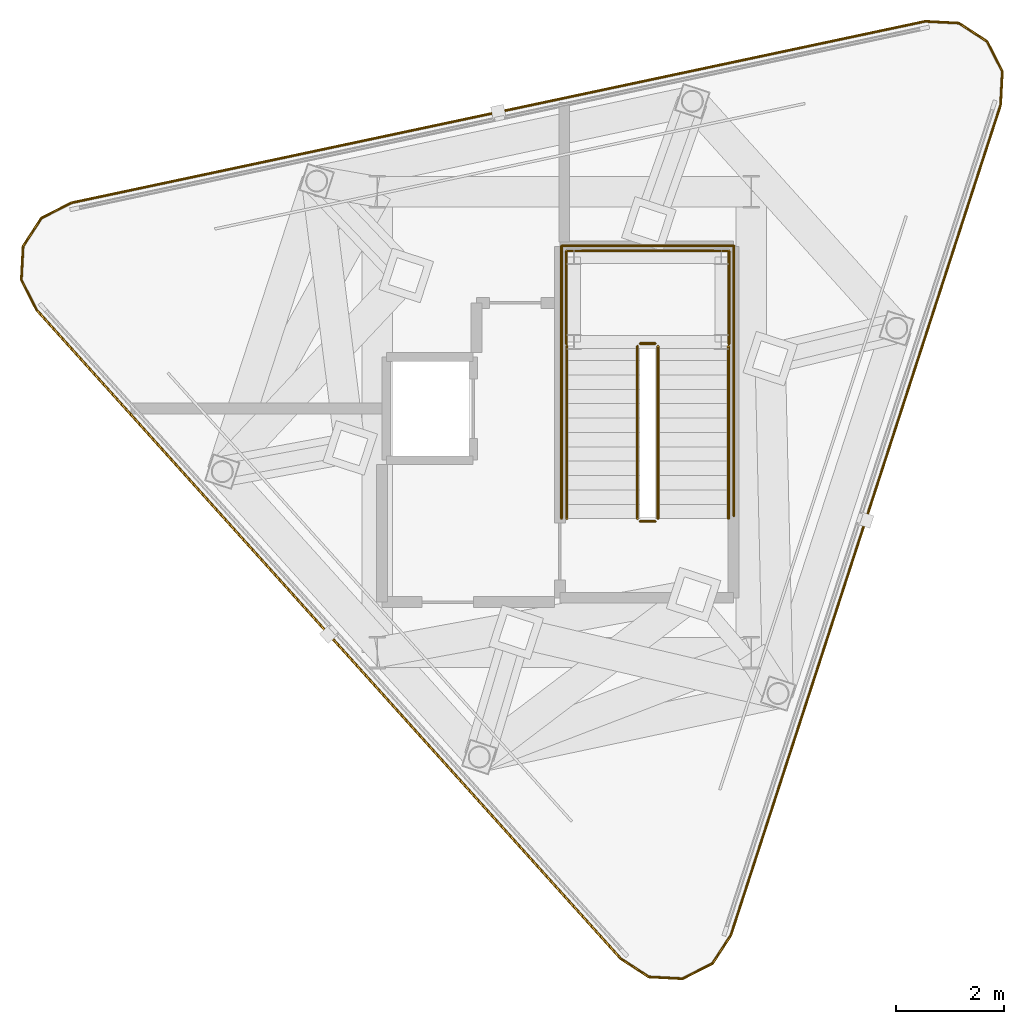
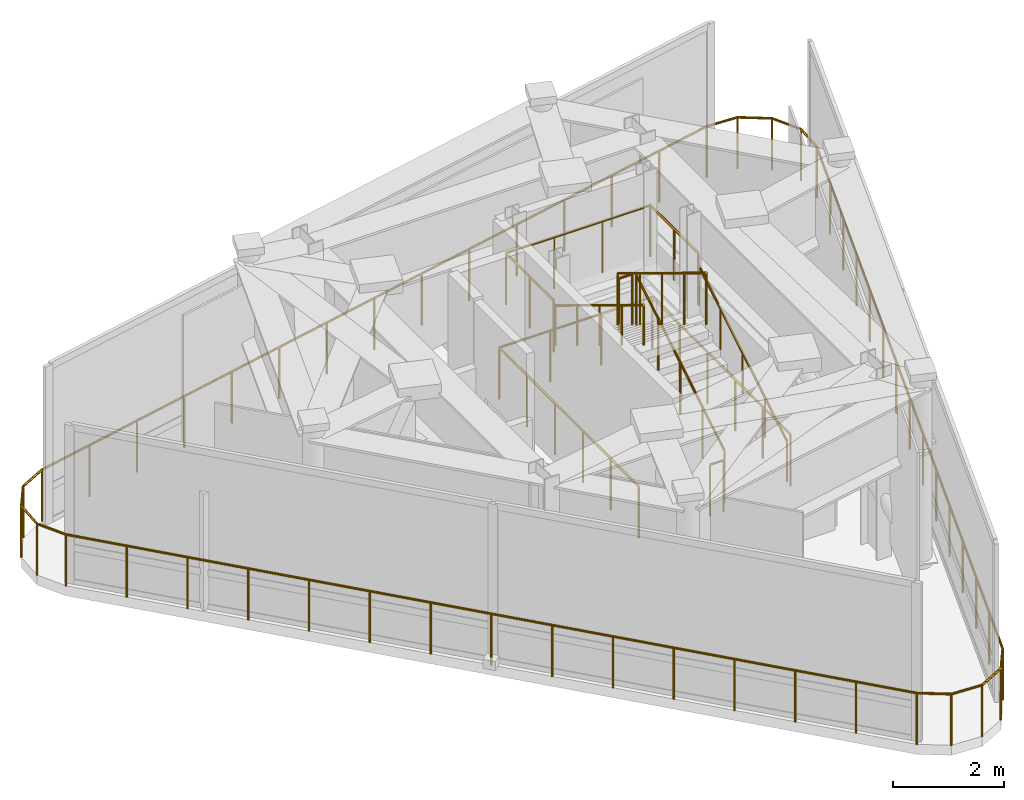
# One storey, part 4 of 4: 27 railings.
"""IFC4 building model written with IfcOpenShell, lengths in metres."""

from ifc_helpers import new_model, si_unit, direction, frame, origin, origin_2d, place, context, subcontext, project, spatial, circle, extrude, material, layer, layer_set, type_object, element, save


model = new_model("IFC4")

# Units and contexts
model_context = context("Model", 3, precision=1e-05, world=origin(), true_north=direction((0.0, 1.0)))
body_context = subcontext(model_context, "Body", "Model", "MODEL_VIEW")
ifc_project = project(units=[si_unit("LENGTHUNIT", "METRE"), si_unit("AREAUNIT", "SQUARE_METRE"), si_unit("VOLUMEUNIT", "CUBIC_METRE"), si_unit("PLANEANGLEUNIT", "RADIAN"), si_unit("MASSUNIT", "GRAM", prefix="KILO")], contexts=[model_context])

# Site, building, storey
site_placement = place(None, origin())
site = spatial("IfcSite", under=ifc_project, at=site_placement, CompositionType="ELEMENT")
building_placement = place(site_placement, origin())
building = spatial("IfcBuilding", under=site, at=building_placement, Name="Terralouvre Media Tower", CompositionType="ELEMENT")
storey_placement = place(building_placement, frame((0.0, 0.0, 335.0)))
storey = spatial("IfcBuildingStorey", under=building, at=storey_placement, Name="L86", CompositionType="ELEMENT", Elevation=335.0)

# Railings
ifc_material_1 = material(Name="Stainless steel 316 handrail and balustrade", Category="steel")
ifc_layer_1 = layer(ifc_material_1, 0.06005859375, Name="Roof Edge Safety Guardrail GR-ROOF1")
ifc_layer_set_1 = layer_set([ifc_layer_1], Name="Stainless steel 316 handrail and balustrade")
railing_type_1 = type_object("IfcRailingType", Name="Roof Edge Safety Guardrail GR-ROOF1", PredefinedType="GUARDRAIL", material=ifc_layer_set_1)
railing_1_placement = place(storey_placement, frame((1.040771484375, -9.895263671875, 0.0)))
element("IfcRailing", 1, at=railing_1_placement, inside=storey, type_object=railing_type_1, Name="L86 Crown Catwalk Safety Guardrail Edge 01", PredefinedType="GUARDRAIL", context=body_context, shape_type="SweptSolid", body=[
    extrude(circle(Radius=0.02392578125, at=origin_2d()), frame((0.0, 0.0, 1.1259765625), z_axis=(0.838820601046, -0.544407934606, 0.0), x_axis=(0.544407934606, 0.838820601046, 0.0)), (0.0, 0.0, 1.0), 0.62109375),
    extrude(circle(Radius=0.02099609375, at=origin_2d()), origin(), (0.0, 0.0, 1.0), 1.101806640625),
    extrude(circle(Radius=0.02099609375, at=origin_2d()), frame((0.52099609375, -0.338134765625, 0.0)), (0.0, 0.0, 1.0), 1.101806640625),
])
railing_2_placement = place(storey_placement, frame((1.561767578125, -10.2333984375, 0.0)))
element("IfcRailing", 2, at=railing_2_placement, inside=storey, type_object=railing_type_1, Name="L86 Crown Catwalk Safety Guardrail Edge 02", PredefinedType="GUARDRAIL", context=body_context, shape_type="SweptSolid", body=[
    extrude(circle(Radius=0.02392578125, at=origin_2d()), frame((0.0, 0.0, 1.1259765625), z_axis=(0.998632986776, -0.05227004614, 0.0), x_axis=(0.05227004614, 0.998632986776, 0.0)), (0.0, 0.0, 1.0), 0.62109375),
    extrude(circle(Radius=0.02099609375, at=origin_2d()), origin(), (0.0, 0.0, 1.0), 1.101806640625),
    extrude(circle(Radius=0.02099609375, at=origin_2d()), frame((0.620361328125, -0.032470703125, 0.0)), (0.0, 0.0, 1.0), 1.101806640625),
])
railing_3_placement = place(storey_placement, frame((2.18212890625, -10.265869140625, 0.0)))
element("IfcRailing", 3, at=railing_3_placement, inside=storey, type_object=railing_type_1, Name="L86 Crown Catwalk Safety Guardrail Edge 03", PredefinedType="GUARDRAIL", context=body_context, shape_type="SweptSolid", body=[
    extrude(circle(Radius=0.02392578125, at=origin_2d()), frame((0.0, 0.0, 1.1259765625), z_axis=(0.891021499419, 0.453961107997, 0.0), x_axis=(-0.453961107997, 0.891021499419, 0.0)), (0.0, 0.0, 1.0), 0.62109375),
    extrude(circle(Radius=0.02099609375, at=origin_2d()), origin(), (0.0, 0.0, 1.0), 1.101806640625),
    extrude(circle(Radius=0.02099609375, at=origin_2d()), frame((0.553466796875, 0.281982421875, 0.0)), (0.0, 0.0, 1.0), 1.101806640625),
])
railing_4_placement = place(storey_placement, frame((2.735595703125, -9.98388671875, 0.0)))
element("IfcRailing", 4, at=railing_4_placement, inside=storey, type_object=railing_type_1, Name="L86 Crown Catwalk Safety Guardrail Edge 04", PredefinedType="GUARDRAIL", context=body_context, shape_type="SweptSolid", body=[
    extrude(circle(Radius=0.02392578125, at=origin_2d()), frame((0.0, 0.0, 1.1259765625), z_axis=(0.544863983342, 0.838524441896, 0.0), x_axis=(-0.838524441896, 0.544863983342, 0.0)), (0.0, 0.0, 1.0), 0.62109375),
    extrude(circle(Radius=0.02099609375, at=origin_2d()), origin(), (0.0, 0.0, 1.0), 1.101806640625),
    extrude(circle(Radius=0.02099609375, at=origin_2d()), frame((0.33837890625, 0.520751953125, 0.0)), (0.0, 0.0, 1.0), 1.101806640625),
])
railing_5_placement = place(storey_placement, frame((3.073974609375, -9.463134765625, 0.0)))
element("IfcRailing", 5, at=railing_5_placement, inside=storey, type_object=railing_type_1, Name="L86 Crown Catwalk Safety Guardrail Edge 05", PredefinedType="GUARDRAIL", context=body_context, shape_type="SweptSolid", body=[
    extrude(circle(Radius=0.02392578125, at=origin_2d()), frame((0.0, 0.0, 1.1259765625), z_axis=(0.309012694292, 0.951057913466, 0.0), x_axis=(-0.951057913466, 0.309012694292, 0.0)), (0.0, 0.0, 1.0), 16.10009765625),
    extrude(circle(Radius=0.02099609375, at=origin_2d()), origin(), (0.0, 0.0, 1.0), 1.101806640625),
    extrude(circle(Radius=0.02099609375, at=origin_2d()), frame((0.35546875, 1.09375, 0.0)), (0.0, 0.0, 1.0), 1.101806640625),
    extrude(circle(Radius=0.02099609375, at=origin_2d()), frame((0.710693359375, 2.1875, 0.0)), (0.0, 0.0, 1.0), 1.101806640625),
    extrude(circle(Radius=0.02099609375, at=origin_2d()), frame((1.066162109375, 3.28125, 0.0)), (0.0, 0.0, 1.0), 1.101806640625),
    extrude(circle(Radius=0.02099609375, at=origin_2d()), frame((1.42138671875, 4.374755859375, 0.0)), (0.0, 0.0, 1.0), 1.101806640625),
    extrude(circle(Radius=0.02099609375, at=origin_2d()), frame((1.77685546875, 5.468505859375, 0.0)), (0.0, 0.0, 1.0), 1.101806640625),
    extrude(circle(Radius=0.02099609375, at=origin_2d()), frame((2.132080078125, 6.562255859375, 0.0)), (0.0, 0.0, 1.0), 1.101806640625),
    extrude(circle(Radius=0.02099609375, at=origin_2d()), frame((2.487548828125, 7.656005859375, 0.0)), (0.0, 0.0, 1.0), 1.101806640625),
    extrude(circle(Radius=0.02099609375, at=origin_2d()), frame((2.843017578125, 8.749755859375, 0.0)), (0.0, 0.0, 1.0), 1.101806640625),
    extrude(circle(Radius=0.02099609375, at=origin_2d()), frame((3.1982421875, 9.843505859375, 0.0)), (0.0, 0.0, 1.0), 1.101806640625),
    extrude(circle(Radius=0.02099609375, at=origin_2d()), frame((3.5537109375, 10.937255859375, 0.0)), (0.0, 0.0, 1.0), 1.101806640625),
    extrude(circle(Radius=0.02099609375, at=origin_2d()), frame((3.908935546875, 12.03076171875, 0.0)), (0.0, 0.0, 1.0), 1.101806640625),
    extrude(circle(Radius=0.02099609375, at=origin_2d()), frame((4.264404296875, 13.12451171875, 0.0)), (0.0, 0.0, 1.0), 1.101806640625),
    extrude(circle(Radius=0.02099609375, at=origin_2d()), frame((4.61962890625, 14.21826171875, 0.0)), (0.0, 0.0, 1.0), 1.101806640625),
    extrude(circle(Radius=0.02099609375, at=origin_2d()), frame((4.97509765625, 15.31201171875, 0.0)), (0.0, 0.0, 1.0), 1.101806640625),
])
railing_6_placement = place(storey_placement, frame((8.049072265625, 5.848876953125, 0.0)))
element("IfcRailing", 6, at=railing_6_placement, inside=storey, type_object=railing_type_1, Name="L86 Crown Catwalk Safety Guardrail Edge 06", PredefinedType="GUARDRAIL", context=body_context, shape_type="SweptSolid", body=[
    extrude(circle(Radius=0.02392578125, at=origin_2d()), frame((0.0, 0.0, 1.1259765625), z_axis=(0.05227004614, 0.998632986776, 0.0), x_axis=(-0.998632986776, 0.05227004614, 0.0)), (0.0, 0.0, 1.0), 0.62109375),
    extrude(circle(Radius=0.02099609375, at=origin_2d()), origin(), (0.0, 0.0, 1.0), 1.101806640625),
    extrude(circle(Radius=0.02099609375, at=origin_2d()), frame((0.032470703125, 0.620361328125, 0.0)), (0.0, 0.0, 1.0), 1.101806640625),
])
railing_7_placement = place(storey_placement, frame((8.08154296875, 6.46923828125, 0.0)))
element("IfcRailing", 7, at=railing_7_placement, inside=storey, type_object=railing_type_1, Name="L86 Crown Catwalk Safety Guardrail Edge 07", PredefinedType="GUARDRAIL", context=body_context, shape_type="SweptSolid", body=[
    extrude(circle(Radius=0.02392578125, at=origin_2d()), frame((0.0, 0.0, 1.1259765625), z_axis=(-0.453961107997, 0.891021499419, 0.0), x_axis=(-0.891021499419, -0.453961107997, 0.0)), (0.0, 0.0, 1.0), 0.62109375),
    extrude(circle(Radius=0.02099609375, at=origin_2d()), origin(), (0.0, 0.0, 1.0), 1.101806640625),
    extrude(circle(Radius=0.02099609375, at=origin_2d()), frame((-0.281982421875, 0.553466796875, 0.0)), (0.0, 0.0, 1.0), 1.101806640625),
])
railing_8_placement = place(storey_placement, frame((7.799560546875, 7.022705078125, 0.0)))
element("IfcRailing", 8, at=railing_8_placement, inside=storey, type_object=railing_type_1, Name="L86 Crown Catwalk Safety Guardrail Edge 08", PredefinedType="GUARDRAIL", context=body_context, shape_type="SweptSolid", body=[
    extrude(circle(Radius=0.02392578125, at=origin_2d()), frame((0.0, 0.0, 1.1259765625), z_axis=(-0.838641092331, 0.544684420792, 0.0), x_axis=(-0.544684420792, -0.838641092331, 0.0)), (0.0, 0.0, 1.0), 0.621337890625),
    extrude(circle(Radius=0.02099609375, at=origin_2d()), origin(), (0.0, 0.0, 1.0), 1.101806640625),
    extrude(circle(Radius=0.02099609375, at=origin_2d()), frame((-0.52099609375, 0.33837890625, 0.0)), (0.0, 0.0, 1.0), 1.101806640625),
])
railing_9_placement = place(storey_placement, frame((7.278564453125, 7.361083984375, 0.0)))
element("IfcRailing", 9, at=railing_9_placement, inside=storey, type_object=railing_type_1, Name="L86 Crown Catwalk Safety Guardrail Edge 09", PredefinedType="GUARDRAIL", context=body_context, shape_type="SweptSolid", body=[
    extrude(circle(Radius=0.02392578125, at=origin_2d()), frame((0.0, 0.0, 1.1259765625), z_axis=(-0.998632986776, 0.05227004614, 0.0), x_axis=(-0.05227004614, -0.998632986776, 0.0)), (0.0, 0.0, 1.0), 0.62109375),
    extrude(circle(Radius=0.02099609375, at=origin_2d()), origin(), (0.0, 0.0, 1.0), 1.101806640625),
    extrude(circle(Radius=0.02099609375, at=origin_2d()), frame((-0.620361328125, 0.032470703125, 0.0)), (0.0, 0.0, 1.0), 1.101806640625),
])
railing_10_placement = place(storey_placement, frame((6.658203125, 7.3935546875, 0.0)))
element("IfcRailing", 10, at=railing_10_placement, inside=storey, type_object=railing_type_1, Name="L86 Crown Catwalk Safety Guardrail Edge 10", PredefinedType="GUARDRAIL", context=body_context, shape_type="SweptSolid", body=[
    extrude(circle(Radius=0.02392578125, at=origin_2d()), frame((0.0, 0.0, 1.1259765625), z_axis=(-0.978146824983, -0.207915340403, 0.0), x_axis=(0.207915340403, -0.978146824983, 0.0)), (0.0, 0.0, 1.0), 16.099853515625),
    extrude(circle(Radius=0.02099609375, at=origin_2d()), origin(), (0.0, 0.0, 1.0), 1.101806640625),
    extrude(circle(Radius=0.02099609375, at=origin_2d()), frame((-1.124755859375, -0.239013671875, 0.0)), (0.0, 0.0, 1.0), 1.101806640625),
    extrude(circle(Radius=0.02099609375, at=origin_2d()), frame((-2.249755859375, -0.478271484375, 0.0)), (0.0, 0.0, 1.0), 1.101806640625),
    extrude(circle(Radius=0.02099609375, at=origin_2d()), frame((-3.37451171875, -0.71728515625, 0.0)), (0.0, 0.0, 1.0), 1.101806640625),
    extrude(circle(Radius=0.02099609375, at=origin_2d()), frame((-4.49951171875, -0.956298828125, 0.0)), (0.0, 0.0, 1.0), 1.101806640625),
    extrude(circle(Radius=0.02099609375, at=origin_2d()), frame((-5.624267578125, -1.195556640625, 0.0)), (0.0, 0.0, 1.0), 1.101806640625),
    extrude(circle(Radius=0.02099609375, at=origin_2d()), frame((-6.749267578125, -1.4345703125, 0.0)), (0.0, 0.0, 1.0), 1.101806640625),
    extrude(circle(Radius=0.02099609375, at=origin_2d()), frame((-7.8740234375, -1.673828125, 0.0)), (0.0, 0.0, 1.0), 1.101806640625),
    extrude(circle(Radius=0.02099609375, at=origin_2d()), frame((-8.998779296875, -1.912841796875, 0.0)), (0.0, 0.0, 1.0), 1.101806640625),
    extrude(circle(Radius=0.02099609375, at=origin_2d()), frame((-10.123779296875, -2.15185546875, 0.0)), (0.0, 0.0, 1.0), 1.101806640625),
    extrude(circle(Radius=0.02099609375, at=origin_2d()), frame((-11.24853515625, -2.39111328125, 0.0)), (0.0, 0.0, 1.0), 1.101806640625),
    extrude(circle(Radius=0.02099609375, at=origin_2d()), frame((-12.37353515625, -2.630126953125, 0.0)), (0.0, 0.0, 1.0), 1.101806640625),
    extrude(circle(Radius=0.02099609375, at=origin_2d()), frame((-13.498291015625, -2.869140625, 0.0)), (0.0, 0.0, 1.0), 1.101806640625),
    extrude(circle(Radius=0.02099609375, at=origin_2d()), frame((-14.623291015625, -3.1083984375, 0.0)), (0.0, 0.0, 1.0), 1.101806640625),
    extrude(circle(Radius=0.02099609375, at=origin_2d()), frame((-15.748046875, -3.347412109375, 0.0)), (0.0, 0.0, 1.0), 1.101806640625),
])
railing_11_placement = place(storey_placement, frame((-9.08984375, 4.046142578125, 0.0)))
element("IfcRailing", 11, at=railing_11_placement, inside=storey, type_object=railing_type_1, Name="L86 Crown Catwalk Safety Guardrail Edge 11", PredefinedType="GUARDRAIL", context=body_context, shape_type="SweptSolid", body=[
    extrude(circle(Radius=0.02392578125, at=origin_2d()), frame((0.0, 0.0, 1.1259765625), z_axis=(-0.891021499419, -0.453961107997, 0.0), x_axis=(0.453961107997, -0.891021499419, 0.0)), (0.0, 0.0, 1.0), 0.62109375),
    extrude(circle(Radius=0.02099609375, at=origin_2d()), origin(), (0.0, 0.0, 1.0), 1.101806640625),
    extrude(circle(Radius=0.02099609375, at=origin_2d()), frame((-0.553466796875, -0.281982421875, 0.0)), (0.0, 0.0, 1.0), 1.101806640625),
])
railing_12_placement = place(storey_placement, frame((-9.643310546875, 3.76416015625, 0.0)))
element("IfcRailing", 12, at=railing_12_placement, inside=storey, type_object=railing_type_1, Name="L86 Crown Catwalk Safety Guardrail Edge 12", PredefinedType="GUARDRAIL", context=body_context, shape_type="SweptSolid", body=[
    extrude(circle(Radius=0.02392578125, at=origin_2d()), frame((0.0, 0.0, 1.1259765625), z_axis=(-0.544684420792, -0.838641092331, 0.0), x_axis=(0.838641092331, -0.544684420792, 0.0)), (0.0, 0.0, 1.0), 0.621337890625),
    extrude(circle(Radius=0.02099609375, at=origin_2d()), origin(), (0.0, 0.0, 1.0), 1.101806640625),
    extrude(circle(Radius=0.02099609375, at=origin_2d()), frame((-0.33837890625, -0.52099609375, 0.0)), (0.0, 0.0, 1.0), 1.101806640625),
])
railing_13_placement = place(storey_placement, frame((-9.981689453125, 3.2431640625, 0.0)))
element("IfcRailing", 13, at=railing_13_placement, inside=storey, type_object=railing_type_1, Name="L86 Crown Catwalk Safety Guardrail Edge 13", PredefinedType="GUARDRAIL", context=body_context, shape_type="SweptSolid", body=[
    extrude(circle(Radius=0.02392578125, at=origin_2d()), frame((0.0, 0.0, 1.1259765625), z_axis=(-0.05227004614, -0.998632986776, 0.0), x_axis=(0.998632986776, -0.05227004614, 0.0)), (0.0, 0.0, 1.0), 0.62109375),
    extrude(circle(Radius=0.02099609375, at=origin_2d()), origin(), (0.0, 0.0, 1.0), 1.101806640625),
    extrude(circle(Radius=0.02099609375, at=origin_2d()), frame((-0.032470703125, -0.620361328125, 0.0)), (0.0, 0.0, 1.0), 1.101806640625),
])
railing_14_placement = place(storey_placement, frame((-10.01416015625, 2.622802734375, 0.0)))
element("IfcRailing", 14, at=railing_14_placement, inside=storey, type_object=railing_type_1, Name="L86 Crown Catwalk Safety Guardrail Edge 14", PredefinedType="GUARDRAIL", context=body_context, shape_type="SweptSolid", body=[
    extrude(circle(Radius=0.02392578125, at=origin_2d()), frame((0.0, 0.0, 1.1259765625), z_axis=(0.454120136825, -0.890940458914, 0.0), x_axis=(0.890940458914, 0.454120136825, 0.0)), (0.0, 0.0, 1.0), 0.620849609375),
    extrude(circle(Radius=0.02099609375, at=origin_2d()), origin(), (0.0, 0.0, 1.0), 1.101806640625),
    extrude(circle(Radius=0.02099609375, at=origin_2d()), frame((0.281982421875, -0.55322265625, 0.0)), (0.0, 0.0, 1.0), 1.101806640625),
])
railing_15_placement = place(storey_placement, frame((-9.732177734375, 2.069580078125, 0.0)))
element("IfcRailing", 15, at=railing_15_placement, inside=storey, type_object=railing_type_1, Name="L86 Crown Catwalk Safety Guardrail Edge 15", PredefinedType="GUARDRAIL", context=body_context, shape_type="SweptSolid", body=[
    extrude(circle(Radius=0.02392578125, at=origin_2d()), frame((0.0, 0.0, 1.1259765625), z_axis=(0.669122220088, -0.743152376424, 0.0), x_axis=(0.743152376424, 0.669122220088, 0.0)), (0.0, 0.0, 1.0), 16.10009765625),
    extrude(circle(Radius=0.02099609375, at=origin_2d()), origin(), (0.0, 0.0, 1.0), 1.101806640625),
    extrude(circle(Radius=0.02099609375, at=origin_2d()), frame((0.76953125, -0.854736328125, 0.0)), (0.0, 0.0, 1.0), 1.101806640625),
    extrude(circle(Radius=0.02099609375, at=origin_2d()), frame((1.5390625, -1.709228515625, 0.0)), (0.0, 0.0, 1.0), 1.101806640625),
    extrude(circle(Radius=0.02099609375, at=origin_2d()), frame((2.30859375, -2.56396484375, 0.0)), (0.0, 0.0, 1.0), 1.101806640625),
    extrude(circle(Radius=0.02099609375, at=origin_2d()), frame((3.077880859375, -3.41845703125, 0.0)), (0.0, 0.0, 1.0), 1.101806640625),
    extrude(circle(Radius=0.02099609375, at=origin_2d()), frame((3.847412109375, -4.273193359375, 0.0)), (0.0, 0.0, 1.0), 1.101806640625),
    extrude(circle(Radius=0.02099609375, at=origin_2d()), frame((4.616943359375, -5.127685546875, 0.0)), (0.0, 0.0, 1.0), 1.101806640625),
    extrude(circle(Radius=0.02099609375, at=origin_2d()), frame((5.386474609375, -5.982421875, 0.0)), (0.0, 0.0, 1.0), 1.101806640625),
    extrude(circle(Radius=0.02099609375, at=origin_2d()), frame((6.156005859375, -6.837158203125, 0.0)), (0.0, 0.0, 1.0), 1.101806640625),
    extrude(circle(Radius=0.02099609375, at=origin_2d()), frame((6.925537109375, -7.691650390625, 0.0)), (0.0, 0.0, 1.0), 1.101806640625),
    extrude(circle(Radius=0.02099609375, at=origin_2d()), frame((7.695068359375, -8.54638671875, 0.0)), (0.0, 0.0, 1.0), 1.101806640625),
    extrude(circle(Radius=0.02099609375, at=origin_2d()), frame((8.46435546875, -9.40087890625, 0.0)), (0.0, 0.0, 1.0), 1.101806640625),
    extrude(circle(Radius=0.02099609375, at=origin_2d()), frame((9.23388671875, -10.255615234375, 0.0)), (0.0, 0.0, 1.0), 1.101806640625),
    extrude(circle(Radius=0.02099609375, at=origin_2d()), frame((10.00341796875, -11.110107421875, 0.0)), (0.0, 0.0, 1.0), 1.101806640625),
    extrude(circle(Radius=0.02099609375, at=origin_2d()), frame((10.77294921875, -11.96484375, 0.0)), (0.0, 0.0, 1.0), 1.101806640625),
])
ifc_material_2 = material(Name="Stainless steel 316 handrail and balustrade", Category="steel")
ifc_layer_2 = layer(ifc_material_2, 0.050048828125, Name="Stair Flight Wall Handrail HR-INT1")
ifc_layer_set_2 = layer_set([ifc_layer_2], Name="Stainless steel 316 handrail and balustrade")
railing_type_2 = type_object("IfcRailingType", Name="Stair Flight Wall Handrail HR-INT1", PredefinedType="HANDRAIL", material=ifc_layer_set_2)
railing_16_placement = place(storey_placement, frame((3.030029296875, -1.780029296875, 0.16162109375)))
element("IfcRailing", 16, at=railing_16_placement, inside=storey, type_object=railing_type_2, Name="L86 ST-05 stair handrail 1", PredefinedType="HANDRAIL", context=body_context, shape_type="SweptSolid", body=[
    extrude(circle(Radius=0.02392578125, at=origin_2d()), frame((0.0, 0.0, 0.8759765625), z_axis=(0.0, 0.853856579767, 0.520508348818), x_axis=(-1.0, 0.0, 0.0)), (0.0, 0.0, 1.0), 3.72412109375),
    extrude(circle(Radius=0.02099609375, at=origin_2d()), origin(), (0.0, 0.0, 1.0), 0.851806640625),
    extrude(circle(Radius=0.02099609375, at=origin_2d()), frame((0.0, 0.794921875, 0.484619140625)), (0.0, 0.0, 1.0), 0.851806640625),
    extrude(circle(Radius=0.02099609375, at=origin_2d()), frame((0.0, 1.58984375, 0.96923828125)), (0.0, 0.0, 1.0), 0.851806640625),
    extrude(circle(Radius=0.02099609375, at=origin_2d()), frame((0.0, 2.385009765625, 1.453857421875)), (0.0, 0.0, 1.0), 0.851806640625),
    extrude(circle(Radius=0.02099609375, at=origin_2d()), frame((0.0, 3.179931640625, 1.9384765625)), (0.0, 0.0, 1.0), 0.851806640625),
])
railing_17_placement = place(storey_placement, frame((0.050048828125, 1.39990234375, 2.261474609375)))
element("IfcRailing", 17, at=railing_17_placement, inside=storey, type_object=railing_type_2, Name="L86 ST-05 stair handrail 2", PredefinedType="HANDRAIL", context=body_context, shape_type="SweptSolid", body=[
    extrude(circle(Radius=0.02392578125, at=origin_2d()), frame((0.0, 0.0, 0.8759765625), z_axis=(0.0, -0.853856579767, 0.520508348818), x_axis=(1.0, 0.0, 0.0)), (0.0, 0.0, 1.0), 3.72412109375),
    extrude(circle(Radius=0.02099609375, at=origin_2d()), origin(), (0.0, 0.0, 1.0), 0.851806640625),
    extrude(circle(Radius=0.02099609375, at=origin_2d()), frame((0.0, -0.794921875, 0.484619140625)), (0.0, 0.0, 1.0), 0.851806640625),
    extrude(circle(Radius=0.02099609375, at=origin_2d()), frame((0.0, -1.58984375, 0.96923828125)), (0.0, 0.0, 1.0), 0.851806640625),
    extrude(circle(Radius=0.02099609375, at=origin_2d()), frame((0.0, -2.385009765625, 1.453857421875)), (0.0, 0.0, 1.0), 0.851806640625),
    extrude(circle(Radius=0.02099609375, at=origin_2d()), frame((0.0, -3.179931640625, 1.9384765625)), (0.0, 0.0, 1.0), 0.851806640625),
])
ifc_material_3 = material(Name="Stainless steel 316 handrail and balustrade", Category="steel")
ifc_layer_3 = layer(ifc_material_3, 0.050048828125, Name="Stairwell Safety Guardrail GR-INT1")
ifc_layer_set_3 = layer_set([ifc_layer_3], Name="Stainless steel 316 handrail and balustrade")
railing_type_3 = type_object("IfcRailingType", Name="Stairwell Safety Guardrail GR-INT1", PredefinedType="GUARDRAIL", material=ifc_layer_set_3)
railing_18_placement = place(storey_placement, frame((1.72998046875, -1.780029296875, 0.16162109375)))
element("IfcRailing", 18, at=railing_18_placement, inside=storey, type_object=railing_type_3, Name="L86 ST-05 stair guard 1", PredefinedType="GUARDRAIL", context=body_context, shape_type="SweptSolid", body=[
    extrude(circle(Radius=0.02392578125, at=origin_2d()), frame((0.0, 0.0, 1.1259765625), z_axis=(0.0, 0.853856579767, 0.520508348818), x_axis=(-1.0, 0.0, 0.0)), (0.0, 0.0, 1.0), 3.72412109375),
    extrude(circle(Radius=0.02099609375, at=origin_2d()), origin(), (0.0, 0.0, 1.0), 1.101806640625),
    extrude(circle(Radius=0.02099609375, at=origin_2d()), frame((0.0, 0.794921875, 0.484619140625)), (0.0, 0.0, 1.0), 1.101806640625),
    extrude(circle(Radius=0.02099609375, at=origin_2d()), frame((0.0, 1.58984375, 0.96923828125)), (0.0, 0.0, 1.0), 1.101806640625),
    extrude(circle(Radius=0.02099609375, at=origin_2d()), frame((0.0, 2.385009765625, 1.453857421875)), (0.0, 0.0, 1.0), 1.101806640625),
    extrude(circle(Radius=0.02099609375, at=origin_2d()), frame((0.0, 3.179931640625, 1.9384765625)), (0.0, 0.0, 1.0), 1.101806640625),
])
railing_19_placement = place(storey_placement, frame((1.679931640625, 1.449951171875, 2.10009765625)))
element("IfcRailing", 19, at=railing_19_placement, inside=storey, type_object=railing_type_3, Name="L86 ST-05 stair guard 2", PredefinedType="GUARDRAIL", context=body_context, shape_type="SweptSolid", body=[
    extrude(circle(Radius=0.02392578125, at=origin_2d()), frame((0.0, 0.0, 1.1259765625), z_axis=(-1.0, 0.0, 0.0), x_axis=(0.0, -1.0, 0.0)), (0.0, 0.0, 1.0), 0.280029296875),
    extrude(circle(Radius=0.02099609375, at=origin_2d()), origin(), (0.0, 0.0, 1.0), 1.101806640625),
    extrude(circle(Radius=0.02099609375, at=origin_2d()), frame((-0.280029296875, 0.0, 0.0)), (0.0, 0.0, 1.0), 1.101806640625),
])
railing_20_placement = place(storey_placement, frame((1.35009765625, 1.39990234375, 2.261474609375)))
element("IfcRailing", 20, at=railing_20_placement, inside=storey, type_object=railing_type_3, Name="L86 ST-05 stair guard 3", PredefinedType="GUARDRAIL", context=body_context, shape_type="SweptSolid", body=[
    extrude(circle(Radius=0.02392578125, at=origin_2d()), frame((0.0, 0.0, 1.1259765625), z_axis=(0.0, -0.853856579767, 0.520508348818), x_axis=(1.0, 0.0, 0.0)), (0.0, 0.0, 1.0), 3.72412109375),
    extrude(circle(Radius=0.02099609375, at=origin_2d()), origin(), (0.0, 0.0, 1.0), 1.101806640625),
    extrude(circle(Radius=0.02099609375, at=origin_2d()), frame((0.0, -0.794921875, 0.484619140625)), (0.0, 0.0, 1.0), 1.101806640625),
    extrude(circle(Radius=0.02099609375, at=origin_2d()), frame((0.0, -1.58984375, 0.96923828125)), (0.0, 0.0, 1.0), 1.101806640625),
    extrude(circle(Radius=0.02099609375, at=origin_2d()), frame((0.0, -2.385009765625, 1.453857421875)), (0.0, 0.0, 1.0), 1.101806640625),
    extrude(circle(Radius=0.02099609375, at=origin_2d()), frame((0.0, -3.179931640625, 1.9384765625)), (0.0, 0.0, 1.0), 1.101806640625),
])
railing_21_placement = place(storey_placement, frame((1.679931640625, -1.830078125, 0.0)))
element("IfcRailing", 21, at=railing_21_placement, inside=storey, type_object=railing_type_3, Name="L86 ST-05 stair guard 4", PredefinedType="GUARDRAIL", context=body_context, shape_type="SweptSolid", body=[
    extrude(circle(Radius=0.02392578125, at=origin_2d()), frame((0.0, 0.0, 1.1259765625), z_axis=(-1.0, 0.0, 0.0), x_axis=(0.0, -1.0, 0.0)), (0.0, 0.0, 1.0), 0.280029296875),
    extrude(circle(Radius=0.02099609375, at=origin_2d()), origin(), (0.0, 0.0, 1.0), 1.101806640625),
    extrude(circle(Radius=0.02099609375, at=origin_2d()), frame((-0.280029296875, 0.0, 0.0)), (0.0, 0.0, 1.0), 1.101806640625),
])
for number, where, name in (
    (22, (0.0400390625, 1.43994140625, 2.10009765625), "L86 ST-05 Half-Landing West Guardrail"),
    (23, (3.0400390625, 1.43994140625, 2.10009765625), "L86 ST-05 Half-Landing East Guardrail"),
):
    element("IfcRailing", number, at=place(storey_placement, frame(where)), inside=storey, type_object=railing_type_3, Name=name, PredefinedType="GUARDRAIL", context=body_context, shape_type="SweptSolid", body=[
        extrude(circle(Radius=0.02392578125, at=origin_2d()), frame((0.0, 0.0, 1.1259765625), z_axis=(0.0, 1.0, 0.0), x_axis=(-1.0, 0.0, 0.0)), (0.0, 0.0, 1.0), 1.719970703125),
        extrude(circle(Radius=0.02099609375, at=origin_2d()), origin(), (0.0, 0.0, 1.0), 1.101806640625),
        extrude(circle(Radius=0.02099609375, at=origin_2d()), frame((0.0, 0.85986328125, 0.0)), (0.0, 0.0, 1.0), 1.101806640625),
        extrude(circle(Radius=0.02099609375, at=origin_2d()), frame((0.0, 1.719970703125, 0.0)), (0.0, 0.0, 1.0), 1.101806640625),
    ])
railing_22_placement = place(storey_placement, frame((0.0400390625, 3.159912109375, 2.10009765625)))
element("IfcRailing", 24, at=railing_22_placement, inside=storey, type_object=railing_type_3, Name="L86 ST-05 Half-Landing North Guardrail", PredefinedType="GUARDRAIL", context=body_context, shape_type="SweptSolid", body=[
    extrude(circle(Radius=0.02392578125, at=origin_2d()), frame((0.0, 0.0, 1.1259765625), z_axis=(1.0, 0.0, 0.0), x_axis=(0.0, 1.0, 0.0)), (0.0, 0.0, 1.0), 3.0),
    extrude(circle(Radius=0.02099609375, at=origin_2d()), origin(), (0.0, 0.0, 1.0), 1.101806640625),
    extrude(circle(Radius=0.02099609375, at=origin_2d()), frame((1.0, 0.0, 0.0)), (0.0, 0.0, 1.0), 1.101806640625),
    extrude(circle(Radius=0.02099609375, at=origin_2d()), frame((2.0, 0.0, 0.0)), (0.0, 0.0, 1.0), 1.101806640625),
    extrude(circle(Radius=0.02099609375, at=origin_2d()), frame((3.0, 0.0, 0.0)), (0.0, 0.0, 1.0), 1.101806640625),
])
railing_23_placement = place(storey_placement, frame((-0.050048828125, -1.780029296875, 0.0)))
element("IfcRailing", 25, at=railing_23_placement, inside=storey, type_object=railing_type_3, Name="L86 ST-05 Floor Well West Guardrail", PredefinedType="GUARDRAIL", context=body_context, shape_type="SweptSolid", body=[
    extrude(circle(Radius=0.02392578125, at=origin_2d()), frame((0.0, 0.0, 1.1259765625), z_axis=(0.0, 1.0, 0.0), x_axis=(-1.0, 0.0, 0.0)), (0.0, 0.0, 1.0), 5.030029296875),
    extrude(circle(Radius=0.02099609375, at=origin_2d()), origin(), (0.0, 0.0, 1.0), 1.101806640625),
    extrude(circle(Radius=0.02099609375, at=origin_2d()), frame((0.0, 1.006103515625, 0.0)), (0.0, 0.0, 1.0), 1.101806640625),
    extrude(circle(Radius=0.02099609375, at=origin_2d()), frame((0.0, 2.011962890625, 0.0)), (0.0, 0.0, 1.0), 1.101806640625),
    extrude(circle(Radius=0.02099609375, at=origin_2d()), frame((0.0, 3.01806640625, 0.0)), (0.0, 0.0, 1.0), 1.101806640625),
    extrude(circle(Radius=0.02099609375, at=origin_2d()), frame((0.0, 4.02392578125, 0.0)), (0.0, 0.0, 1.0), 1.101806640625),
    extrude(circle(Radius=0.02099609375, at=origin_2d()), frame((0.0, 5.030029296875, 0.0)), (0.0, 0.0, 1.0), 1.101806640625),
])
railing_24_placement = place(storey_placement, frame((-0.050048828125, 3.25, 0.0)))
element("IfcRailing", 26, at=railing_24_placement, inside=storey, type_object=railing_type_3, Name="L86 ST-05 Floor Well North Guardrail", PredefinedType="GUARDRAIL", context=body_context, shape_type="SweptSolid", body=[
    extrude(circle(Radius=0.02392578125, at=origin_2d()), frame((0.0, 0.0, 1.1259765625), z_axis=(1.0, 0.0, 0.0), x_axis=(0.0, 1.0, 0.0)), (0.0, 0.0, 1.0), 3.179931640625),
    extrude(circle(Radius=0.02099609375, at=origin_2d()), origin(), (0.0, 0.0, 1.0), 1.101806640625),
    extrude(circle(Radius=0.02099609375, at=origin_2d()), frame((1.06005859375, 0.0, 0.0)), (0.0, 0.0, 1.0), 1.101806640625),
    extrude(circle(Radius=0.02099609375, at=origin_2d()), frame((2.119873046875, 0.0, 0.0)), (0.0, 0.0, 1.0), 1.101806640625),
    extrude(circle(Radius=0.02099609375, at=origin_2d()), frame((3.179931640625, 0.0, 0.0)), (0.0, 0.0, 1.0), 1.101806640625),
])
railing_25_placement = place(storey_placement, frame((3.1298828125, -1.72998046875, 0.0)))
element("IfcRailing", 27, at=railing_25_placement, inside=storey, type_object=railing_type_3, Name="L86 ST-05 Floor Well East Guardrail", PredefinedType="GUARDRAIL", context=body_context, shape_type="SweptSolid", body=[
    extrude(circle(Radius=0.02392578125, at=origin_2d()), frame((0.0, 0.0, 1.1259765625), z_axis=(0.0, 1.0, 0.0), x_axis=(-1.0, 0.0, 0.0)), (0.0, 0.0, 1.0), 4.97998046875),
    extrude(circle(Radius=0.02099609375, at=origin_2d()), origin(), (0.0, 0.0, 1.0), 1.101806640625),
    extrude(circle(Radius=0.02099609375, at=origin_2d()), frame((0.0, 0.99609375, 0.0)), (0.0, 0.0, 1.0), 1.101806640625),
    extrude(circle(Radius=0.02099609375, at=origin_2d()), frame((0.0, 1.991943359375, 0.0)), (0.0, 0.0, 1.0), 1.101806640625),
    extrude(circle(Radius=0.02099609375, at=origin_2d()), frame((0.0, 2.988037109375, 0.0)), (0.0, 0.0, 1.0), 1.101806640625),
    extrude(circle(Radius=0.02099609375, at=origin_2d()), frame((0.0, 3.98388671875, 0.0)), (0.0, 0.0, 1.0), 1.101806640625),
    extrude(circle(Radius=0.02099609375, at=origin_2d()), frame((0.0, 4.97998046875, 0.0)), (0.0, 0.0, 1.0), 1.101806640625),
])

save(model, "model.ifc")
